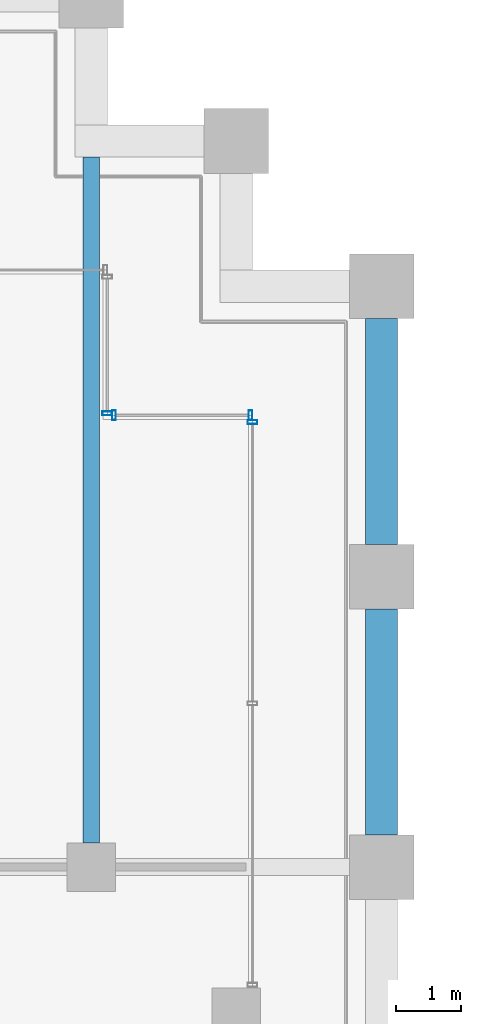
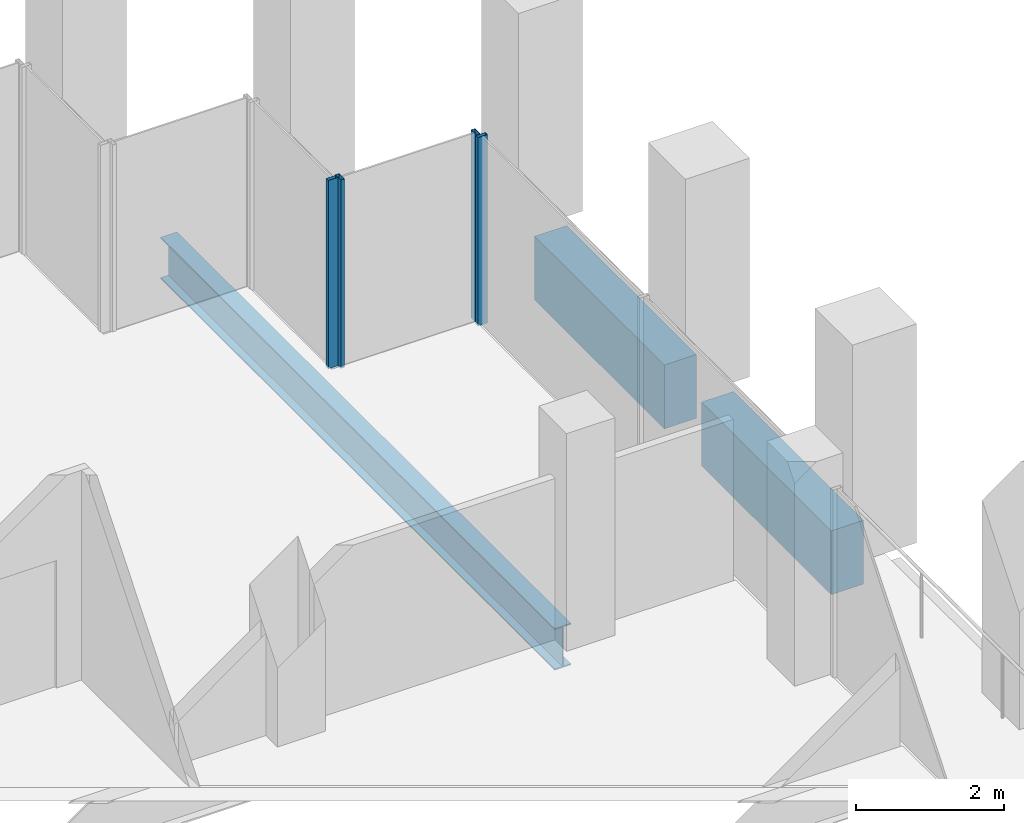
# One storey, part 25 of 47: 4 members, 3 beams, 3 elements without a shape of their own.
"""IFC4 building model written with IfcOpenShell, lengths in metres."""

from ifc_helpers import new_model, si_unit, direction, frame, origin, origin_2d, place, context, subcontext, project, spatial, rectangle, hollow_rectangle, i_section, extrude, material, material_profile, profile_set, type_object, element, aggregate, save


model = new_model("IFC4")

# Units and contexts
model_context = context("Model", 3, precision=1e-05, world=origin(), true_north=direction((0.0, 1.0)))
body_context = subcontext(model_context, "Body", "Model", "MODEL_VIEW")
ifc_project = project(units=[si_unit("LENGTHUNIT", "METRE"), si_unit("AREAUNIT", "SQUARE_METRE"), si_unit("VOLUMEUNIT", "CUBIC_METRE"), si_unit("PLANEANGLEUNIT", "RADIAN"), si_unit("MASSUNIT", "GRAM", prefix="KILO")], contexts=[model_context])

# Site, building, storey
site_placement = place(None, origin())
site = spatial("IfcSite", under=ifc_project, at=site_placement, CompositionType="ELEMENT")
building_placement = place(site_placement, origin())
building = spatial("IfcBuilding", under=site, at=building_placement, Name="Altepetl Exchange Towers", CompositionType="ELEMENT")
storey_placement = place(building_placement, frame((0.0, 0.0, 99.199951171875)))
storey = spatial("IfcBuildingStorey", under=building, at=storey_placement, Name="L24", CompositionType="ELEMENT", Elevation=99.199951171875)

# Beam
ifc_material_1 = material(Name="Steel S355", Category="steel")
ifc_material_profile_1 = material_profile(ifc_material_1, i_section(OverallWidth=0.25390625, OverallDepth=0.68408203125, WebThickness=0.012451171875, FlangeThickness=0.018798828125, at=origin_2d()), Name="W27X94")
ifc_profile_set_1 = profile_set([ifc_material_profile_1], Name="Steel S355")
beam_type_1 = type_object("IfcBeamType", Name="Floor beam W27X94", PredefinedType="BEAM", material=ifc_profile_set_1)
beam_placement = place(storey_placement, frame((67.5, 58.875, -0.491943359375), z_axis=(0.0, 1.0, 0.0), x_axis=(-1.0, 0.0, 0.0)))
element("IfcBeam", 1, at=beam_placement, inside=storey, type_object=beam_type_1, Name="bm:A:L24:005", PredefinedType="BEAM", context=body_context, shape_type="SweptSolid", body=[
    extrude(i_section(OverallWidth=0.25390625, OverallDepth=0.68408203125, WebThickness=0.012451171875, FlangeThickness=0.018798828125, at=origin_2d()), origin(), (0.0, 0.0, 1.0), 10.625),
])

# Curtain wall, member
ifc_material_2 = material(Name="Aluminium 6063-T6 glazing", Category="aluminium")
curtain_wall_type = type_object("IfcCurtainWallType", Name="Loggia glazing system", PredefinedType="NOTDEFINED", material=ifc_material_2)
curtain_wall_1_placement = place(storey_placement, origin())
curtain_wall_1 = element("IfcCurtainWall", 2, at=curtain_wall_1_placement, inside=storey, type_object=curtain_wall_type, Name="CW1 run", PredefinedType="NOTDEFINED")
ifc_material_3 = material(Name="Aluminium 6063-T6", Category="aluminium")
ifc_material_profile_2 = material_profile(ifc_material_3, hollow_rectangle(XDim=0.06005859375, YDim=0.14990234375, WallThickness=0.0029296875, at=origin_2d()), Name="Mullion 60x150 aluminium")
ifc_profile_set_2 = profile_set([ifc_material_profile_2], Name="Aluminium 6063-T6")
member_type = type_object("IfcMemberType", Name="Mullion 60x150 aluminium", PredefinedType="MULLION", material=ifc_profile_set_2)
member_1_placement = place(storey_placement, frame((70.0, 65.39501953125, 0.0), z_axis=(0.0, 0.0, 1.0), x_axis=(0.0, 1.0, 0.0)))
member_1 = element("IfcMember", 3, at=member_1_placement, type_object=member_type, Name="MU1 mullion", PredefinedType="MULLION", context=body_context, shape_type="SweptSolid", body=[
    extrude(hollow_rectangle(XDim=0.06005859375, YDim=0.14990234375, WallThickness=0.0029296875, at=origin_2d()), origin(), (0.0, 0.0, 1.0), 3.10009765625),
])
aggregate(curtain_wall_1, [member_1])

# Curtain wall, members
curtain_wall_2_placement = place(storey_placement, origin())
curtain_wall_2 = element("IfcCurtainWall", 4, at=curtain_wall_2_placement, inside=storey, type_object=curtain_wall_type, Name="CW1 run", PredefinedType="NOTDEFINED")
member_2_placement = place(storey_placement, frame((69.969970703125, 65.5, 0.0), z_axis=(0.0, 0.0, 1.0), x_axis=(-1.0, 0.0, 0.0)))
member_2 = element("IfcMember", 5, at=member_2_placement, type_object=member_type, Name="MU1 mullion", PredefinedType="MULLION", context=body_context, shape_type="SweptSolid", body=[
    extrude(hollow_rectangle(XDim=0.06005859375, YDim=0.14990234375, WallThickness=0.0029296875, at=origin_2d()), origin(), (0.0, 0.0, 1.0), 3.10009765625),
])
member_3_placement = place(storey_placement, frame((67.85498046875, 65.5, 0.0), z_axis=(0.0, 0.0, 1.0), x_axis=(-1.0, 0.0, 0.0)))
member_3 = element("IfcMember", 6, at=member_3_placement, type_object=member_type, Name="MU1 mullion", PredefinedType="MULLION", context=body_context, shape_type="SweptSolid", body=[
    extrude(hollow_rectangle(XDim=0.06005859375, YDim=0.14990234375, WallThickness=0.0029296875, at=origin_2d()), origin(), (0.0, 0.0, 1.0), 3.10009765625),
])
aggregate(curtain_wall_2, [member_2, member_3])

# Curtain wall, member
curtain_wall_3_placement = place(storey_placement, origin())
curtain_wall_3 = element("IfcCurtainWall", 7, at=curtain_wall_3_placement, inside=storey, type_object=curtain_wall_type, Name="CW1 run", PredefinedType="NOTDEFINED")
member_4_placement = place(storey_placement, frame((67.75, 65.530029296875, 0.0), z_axis=(0.0, 0.0, 1.0), x_axis=(0.0, 1.0, 0.0)))
member_4 = element("IfcMember", 8, at=member_4_placement, type_object=member_type, Name="MU1 mullion", PredefinedType="MULLION", context=body_context, shape_type="SweptSolid", body=[
    extrude(hollow_rectangle(XDim=0.06005859375, YDim=0.14990234375, WallThickness=0.0029296875, at=origin_2d()), origin(), (0.0, 0.0, 1.0), 3.10009765625),
])
aggregate(curtain_wall_3, [member_4])

# Beams
ifc_material_4 = material(Name="Concrete C50/60 precast with cantera rosa facing", Category="concrete")
ifc_material_profile_3 = material_profile(ifc_material_4, rectangle(XDim=0.5, YDim=1.050048828125, at=origin_2d()), Name="500 x 1050")
ifc_profile_set_3 = profile_set([ifc_material_profile_3], Name="Concrete C50/60 precast with cantera rosa facing")
beam_type_2 = type_object("IfcBeamType", Name="Spandrel beam 500x1050 cantera rosa", PredefinedType="SPANDREL", material=ifc_profile_set_3)
for number, where, z_axis, x_axis, name in (
    (9, (72.0, 59.0, -0.675048828125), (0.0, 1.0, 0.0), (-1.0, 0.0, 0.0), "sp:A:L24:018"),
    (10, (72.0, 63.5, -0.675048828125), (0.0, 1.0, 0.0), (-1.0, 0.0, 0.0), "sp:A:L24:019"),
):
    element("IfcBeam", number, at=place(storey_placement, frame(where, z_axis=z_axis, x_axis=x_axis)), inside=storey, type_object=beam_type_2, Name=name, PredefinedType="SPANDREL", context=body_context, shape_type="SweptSolid", body=[
        extrude(rectangle(XDim=0.5, YDim=1.050048828125, at=origin_2d()), origin(), (0.0, 0.0, 1.0), 3.5),
    ])

save(model, "model.ifc")
